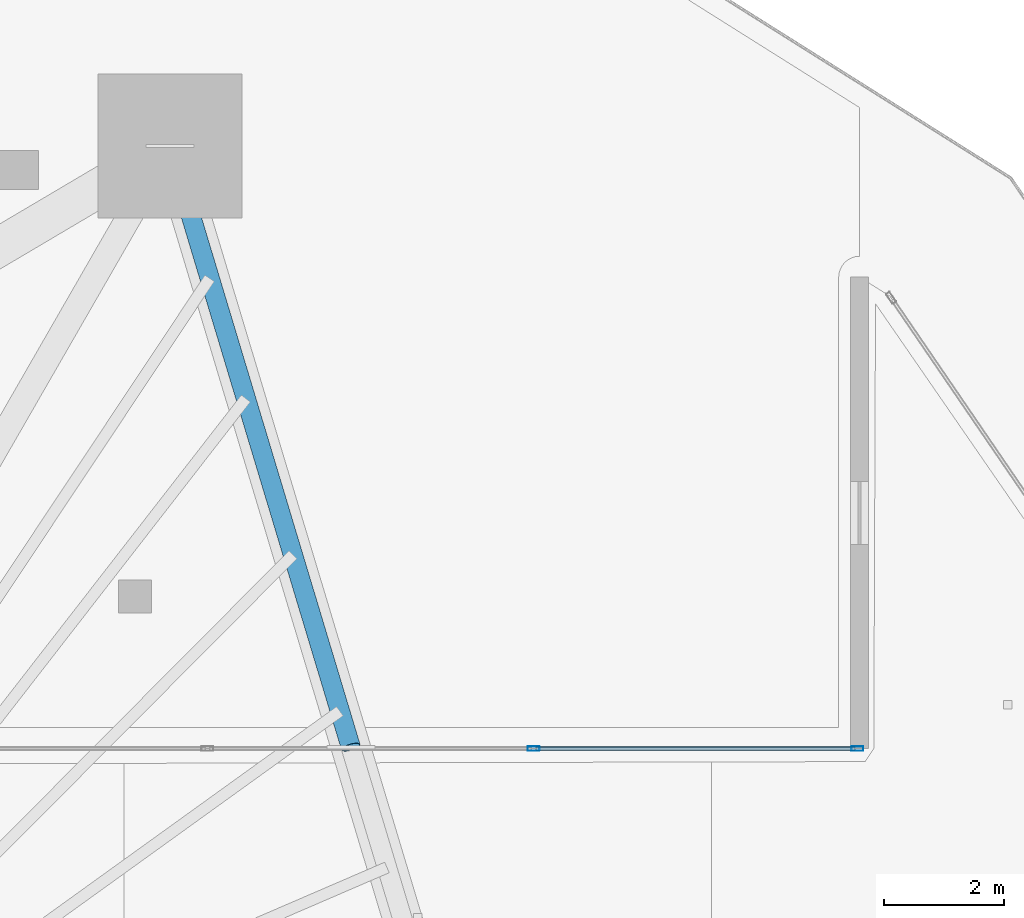
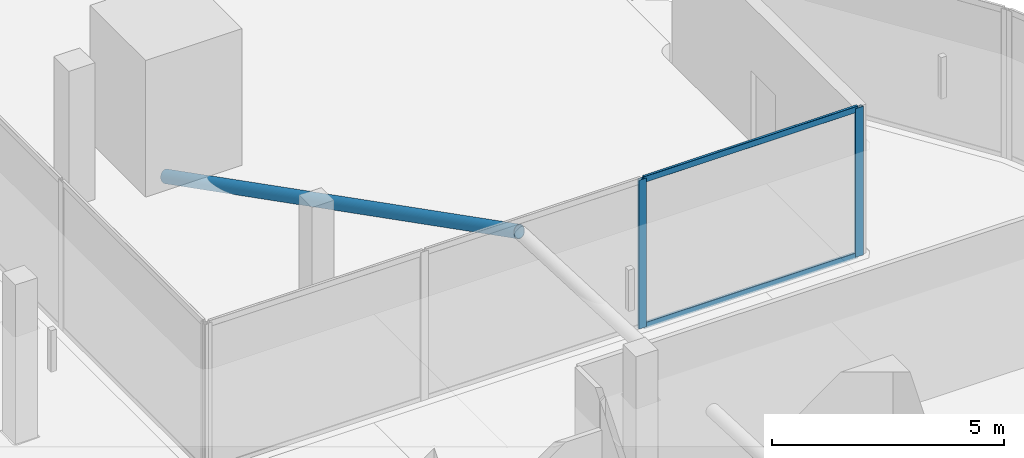
# One storey, part 22 of 44: 5 members, 1 element without a shape of its own.
"""IFC4 building model written with IfcOpenShell, lengths in metres."""

from ifc_helpers import new_model, si_unit, direction, frame, origin, origin_2d, place, context, subcontext, project, spatial, hollow_rectangle, hollow_circle, extrude, material, layer, layer_set, material_profile, profile_set, type_object, element, aggregate, save


model = new_model("IFC4")

# Units and contexts
model_context = context("Model", 3, precision=1e-05, world=origin(), true_north=direction((0.0, 1.0)))
body_context = subcontext(model_context, "Body", "Model", "MODEL_VIEW")
ifc_project = project(units=[si_unit("LENGTHUNIT", "METRE"), si_unit("AREAUNIT", "SQUARE_METRE"), si_unit("VOLUMEUNIT", "CUBIC_METRE"), si_unit("PLANEANGLEUNIT", "RADIAN"), si_unit("MASSUNIT", "GRAM", prefix="KILO")], contexts=[model_context])

# Site, building, storey
site_placement = place(None, origin())
site = spatial("IfcSite", under=ifc_project, at=site_placement, CompositionType="ELEMENT")
building_placement = place(site_placement, origin())
building = spatial("IfcBuilding", under=site, at=building_placement, Name="Qorvath Tower", CompositionType="ELEMENT")
storey_placement = place(building_placement, frame((0.0, 0.0, 78.60009765625)))
storey = spatial("IfcBuildingStorey", under=building, at=storey_placement, Name="L17", CompositionType="ELEMENT", Elevation=78.60009765625)

# Curtain wall, members
ifc_material_1 = material(Name="Anodised aluminium and triple low-E glass", Category="aluminium")
ifc_layer = layer(ifc_material_1, 0.179931640625)
ifc_layer_set = layer_set([ifc_layer], Name="CW-SYS-5")
curtain_wall_type = type_object("IfcCurtainWallType", Name="CW-SYS-5", PredefinedType="NOTDEFINED", material=ifc_layer_set)
curtain_wall_placement = place(storey_placement, origin())
curtain_wall = element("IfcCurtainWall", 1, at=curtain_wall_placement, inside=storey, type_object=curtain_wall_type, Name="Curtain Wall CW-5 CW-T-L17-2.1", PredefinedType="NOTDEFINED")
ifc_material_2 = material(Name="Anodised aluminium 6063-T6", Category="aluminium")
ifc_material_profile_1 = material_profile(ifc_material_2, hollow_rectangle(XDim=0.074951171875, YDim=0.199951171875, WallThickness=0.00390625, InnerFilletRadius=0.00390625, OuterFilletRadius=0.008056640625, at=origin_2d()), Name="CWM 200x75")
ifc_profile_set_1 = profile_set([ifc_material_profile_1], Name="Anodised aluminium 6063-T6")
member_type_1 = type_object("IfcMemberType", Name="CWM-200", PredefinedType="MULLION", material=ifc_profile_set_1)
member_1_placement = place(storey_placement, frame((-2.99755859375, 17.280029296875, 0.0), z_axis=(0.0, 0.0, 1.0), x_axis=(0.0, -1.0, 0.0)))
member_1 = element("IfcMember", 2, at=member_1_placement, type_object=member_type_1, Name="CW-5 mullion 1", PredefinedType="MULLION", context=body_context, shape_type="SweptSolid", body=[
    extrude(hollow_rectangle(XDim=0.074951171875, YDim=0.199951171875, WallThickness=0.00390625, InnerFilletRadius=0.00390625, OuterFilletRadius=0.008056640625, at=origin_2d()), origin(), (0.0, 0.0, 1.0), 3.919921875),
])
member_2_placement = place(storey_placement, frame((-8.39990234375, 17.280029296875, 0.0), z_axis=(0.0, 0.0, 1.0), x_axis=(0.0, -1.0, 0.0)))
member_2 = element("IfcMember", 3, at=member_2_placement, type_object=member_type_1, Name="CW-5 mullion 2", PredefinedType="MULLION", context=body_context, shape_type="SweptSolid", body=[
    extrude(hollow_rectangle(XDim=0.074951171875, YDim=0.199951171875, WallThickness=0.00390625, InnerFilletRadius=0.00390625, OuterFilletRadius=0.008056640625, at=origin_2d()), origin(), (0.0, 0.0, 1.0), 3.919921875),
])
ifc_material_3 = material(Name="Anodised aluminium 6063-T6", Category="aluminium")
ifc_material_profile_2 = material_profile(ifc_material_3, hollow_rectangle(XDim=0.06494140625, YDim=0.159912109375, WallThickness=0.00341796875, InnerFilletRadius=0.00341796875, OuterFilletRadius=0.007080078125, at=origin_2d()), Name="CWT 160x65")
ifc_profile_set_2 = profile_set([ifc_material_profile_2], Name="Anodised aluminium 6063-T6")
member_type_2 = type_object("IfcMemberType", Name="CWT-160", PredefinedType="USERDEFINED", material=ifc_profile_set_2)
member_3_placement = place(storey_placement, frame((-3.034912109375, 17.280029296875, 0.032470703125), z_axis=(-1.0, 0.0, 0.0), x_axis=(0.0, -1.0, 0.0)))
member_3 = element("IfcMember", 4, at=member_3_placement, type_object=member_type_2, Name="CW-5 transom 1.1", ObjectType="TRANSOM", PredefinedType="USERDEFINED", context=body_context, shape_type="SweptSolid", body=[
    extrude(hollow_rectangle(XDim=0.06494140625, YDim=0.159912109375, WallThickness=0.00341796875, InnerFilletRadius=0.00341796875, OuterFilletRadius=0.007080078125, at=origin_2d()), origin(), (0.0, 0.0, 1.0), 5.32763671875),
])
member_4_placement = place(storey_placement, frame((-3.034912109375, 17.280029296875, 3.887451171875), z_axis=(-1.0, 0.0, 0.0), x_axis=(0.0, -1.0, 0.0)))
member_4 = element("IfcMember", 5, at=member_4_placement, type_object=member_type_2, Name="CW-5 transom 1.2", ObjectType="TRANSOM", PredefinedType="USERDEFINED", context=body_context, shape_type="SweptSolid", body=[
    extrude(hollow_rectangle(XDim=0.06494140625, YDim=0.159912109375, WallThickness=0.00341796875, InnerFilletRadius=0.00341796875, OuterFilletRadius=0.007080078125, at=origin_2d()), origin(), (0.0, 0.0, 1.0), 5.32763671875),
])
aggregate(curtain_wall, [member_1, member_2, member_3, member_4])

# Member
ifc_material_4 = material(Name="Steel ASTM A500 Grade C", Category="steel")
ifc_material_profile_3 = material_profile(ifc_material_4, hollow_circle(Radius=0.161865234375, WallThickness=0.0126953125, at=origin_2d()), Name="CHS 324x12.7")
ifc_profile_set_3 = profile_set([ifc_material_profile_3], Name="Steel ASTM A500 Grade C")
member_type_3 = type_object("IfcMemberType", Name="MEM-ST1", PredefinedType="STRUT", material=ifc_profile_set_3)
member_5_placement = place(storey_placement, frame((-14.46435546875, 27.330810546875, 0.0), z_axis=(0.27271435802, -0.906370295565, 0.322675946186), x_axis=(0.957592391289, 0.288126382245, 0.0)))
element("IfcMember", 6, at=member_5_placement, inside=storey, type_object=member_type_3, Name="Sky Garden Corner Strut L17-B", PredefinedType="STRUT", context=body_context, shape_type="SweptSolid", body=[
    extrude(hollow_circle(Radius=0.161865234375, WallThickness=0.0126953125, at=origin_2d()), origin(), (0.0, 0.0, 1.0), 11.063232421875),
])

save(model, "model.ifc")
